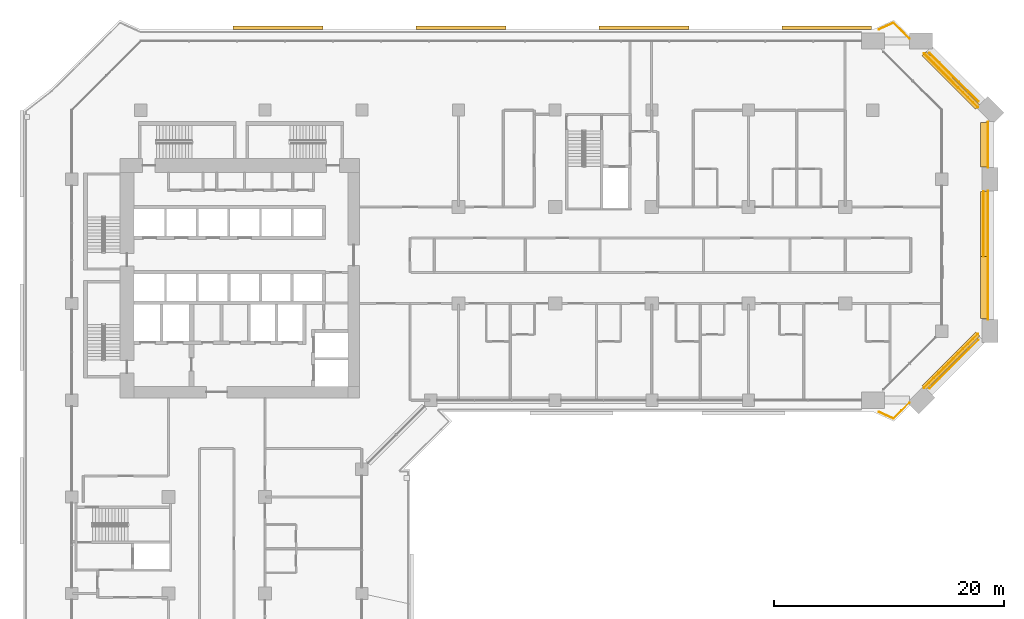
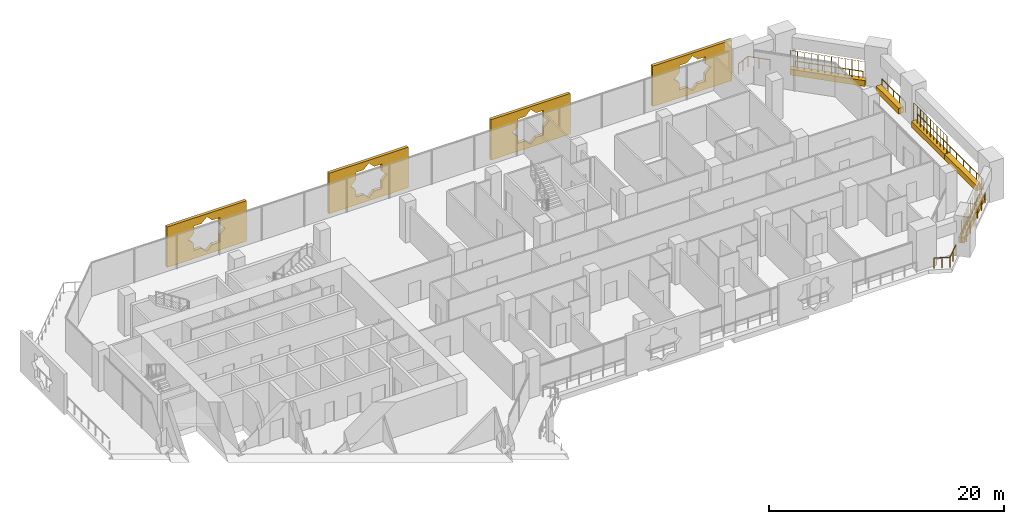
# One storey, part 25 of 25: 9 coverings, 9 railings.
"""IFC4 building model written with IfcOpenShell, lengths in metres."""

from ifc_helpers import new_model, si_unit, direction, frame, origin, origin_2d, place, context, subcontext, project, spatial, polyline, rectangle, circle, outline, extrude, material, material_profile, profile_set, type_object, element, save


model = new_model("IFC4")

# Units and contexts
model_context = context("Model", 3, precision=1e-05, world=origin(), true_north=direction((0.0, 1.0)))
body_context = subcontext(model_context, "Body", "Model", "MODEL_VIEW")
ifc_project = project(units=[si_unit("LENGTHUNIT", "METRE"), si_unit("AREAUNIT", "SQUARE_METRE"), si_unit("VOLUMEUNIT", "CUBIC_METRE"), si_unit("PLANEANGLEUNIT", "RADIAN"), si_unit("MASSUNIT", "GRAM", prefix="KILO")], contexts=[model_context])

# Site, building, storey
site_placement = place(None, origin())
site = spatial("IfcSite", under=ifc_project, at=site_placement, CompositionType="ELEMENT")
building_placement = place(site_placement, origin())
building = spatial("IfcBuilding", under=site, at=building_placement, Name="Kawkab Arch Medical Tower", CompositionType="ELEMENT")
storey_placement = place(building_placement, frame((0.0, 0.0, 111.39990234375)))
storey = spatial("IfcBuildingStorey", under=building, at=storey_placement, Name="L25", CompositionType="ELEMENT", Elevation=111.39990234375)

# Railings
ifc_material_1 = material(Name="Bronze anodised aluminium guard", Category="aluminium")
railing_type_1 = type_object("IfcRailingType", Name="Loggia and terrace guard 1100", PredefinedType="GUARDRAIL", material=ifc_material_1)
railing_1_placement = place(storey_placement, frame((74.547119140625, -24.169921875, 0.0)))
element("IfcRailing", 1, at=railing_1_placement, inside=storey, type_object=railing_type_1, Name="Guard L25.TER-01.1.1", PredefinedType="GUARDRAIL", context=body_context, shape_type="SweptSolid", body=[
    extrude(circle(Radius=0.02392578125, at=origin_2d()), frame((0.0, 0.0, 1.076171875), z_axis=(0.707106781187, 0.707106781187, 0.0), x_axis=(-0.707106781187, 0.707106781187, 0.0)), (0.0, 0.0, 1.0), 5.97216796875),
    extrude(circle(Radius=0.02099609375, at=origin_2d()), origin(), (0.0, 0.0, 1.0), 1.052001953125),
    extrude(circle(Radius=0.02099609375, at=origin_2d()), frame((0.844482421875, 0.844482421875, 0.0)), (0.0, 0.0, 1.0), 1.052001953125),
    extrude(circle(Radius=0.02099609375, at=origin_2d()), frame((1.689208984375, 1.689208984375, 0.0)), (0.0, 0.0, 1.0), 1.052001953125),
    extrude(circle(Radius=0.02099609375, at=origin_2d()), frame((2.53369140625, 2.53369140625, 0.0)), (0.0, 0.0, 1.0), 1.052001953125),
    extrude(circle(Radius=0.02099609375, at=origin_2d()), frame((3.37841796875, 3.37841796875, 0.0)), (0.0, 0.0, 1.0), 1.052001953125),
    extrude(circle(Radius=0.02099609375, at=origin_2d()), frame((4.222900390625, 4.222900390625, 0.0)), (0.0, 0.0, 1.0), 1.052001953125),
])
railing_2_placement = place(storey_placement, frame((79.60009765625, -18.169921875, 0.0)))
element("IfcRailing", 2, at=railing_2_placement, inside=storey, type_object=railing_type_1, Name="Guard L25.TER-01.1.2", PredefinedType="GUARDRAIL", context=body_context, shape_type="SweptSolid", body=[
    extrude(circle(Radius=0.02392578125, at=origin_2d()), frame((0.0, 0.0, 1.076171875), z_axis=(0.0, 1.0, 0.0), x_axis=(-1.0, 0.0, 0.0)), (0.0, 0.0, 1.0), 11.139892578125),
    extrude(circle(Radius=0.02099609375, at=origin_2d()), origin(), (0.0, 0.0, 1.0), 1.052001953125),
    extrude(circle(Radius=0.02099609375, at=origin_2d()), frame((0.0, 1.114013671875, 0.0)), (0.0, 0.0, 1.0), 1.052001953125),
    extrude(circle(Radius=0.02099609375, at=origin_2d()), frame((0.0, 2.22802734375, 0.0)), (0.0, 0.0, 1.0), 1.052001953125),
    extrude(circle(Radius=0.02099609375, at=origin_2d()), frame((0.0, 3.342041015625, 0.0)), (0.0, 0.0, 1.0), 1.052001953125),
    extrude(circle(Radius=0.02099609375, at=origin_2d()), frame((0.0, 4.4560546875, 0.0)), (0.0, 0.0, 1.0), 1.052001953125),
    extrude(circle(Radius=0.02099609375, at=origin_2d()), frame((0.0, 5.56982421875, 0.0)), (0.0, 0.0, 1.0), 1.052001953125),
    extrude(circle(Radius=0.02099609375, at=origin_2d()), frame((0.0, 6.683837890625, 0.0)), (0.0, 0.0, 1.0), 1.052001953125),
    extrude(circle(Radius=0.02099609375, at=origin_2d()), frame((0.0, 7.7978515625, 0.0)), (0.0, 0.0, 1.0), 1.052001953125),
    extrude(circle(Radius=0.02099609375, at=origin_2d()), frame((0.0, 8.911865234375, 0.0)), (0.0, 0.0, 1.0), 1.052001953125),
    extrude(circle(Radius=0.02099609375, at=origin_2d()), frame((0.0, 10.02587890625, 0.0)), (0.0, 0.0, 1.0), 1.052001953125),
    extrude(circle(Radius=0.02099609375, at=origin_2d()), frame((0.0, 11.139892578125, 0.0)), (0.0, 0.0, 1.0), 1.052001953125),
])
railing_3_placement = place(storey_placement, frame((79.60009765625, -4.969970703125, 0.0)))
element("IfcRailing", 3, at=railing_3_placement, inside=storey, type_object=railing_type_1, Name="Guard L25.TER-01.1.3", PredefinedType="GUARDRAIL", context=body_context, shape_type="SweptSolid", body=[
    extrude(circle(Radius=0.02392578125, at=origin_2d()), frame((0.0, 0.0, 1.076171875), z_axis=(0.0, 1.0, 0.0), x_axis=(-1.0, 0.0, 0.0)), (0.0, 0.0, 1.0), 3.93994140625),
    extrude(circle(Radius=0.02099609375, at=origin_2d()), origin(), (0.0, 0.0, 1.0), 1.052001953125),
    extrude(circle(Radius=0.02099609375, at=origin_2d()), frame((0.0, 0.98486328125, 0.0)), (0.0, 0.0, 1.0), 1.052001953125),
    extrude(circle(Radius=0.02099609375, at=origin_2d()), frame((0.0, 1.969970703125, 0.0)), (0.0, 0.0, 1.0), 1.052001953125),
    extrude(circle(Radius=0.02099609375, at=origin_2d()), frame((0.0, 2.955078125, 0.0)), (0.0, 0.0, 1.0), 1.052001953125),
    extrude(circle(Radius=0.02099609375, at=origin_2d()), frame((0.0, 3.93994140625, 0.0)), (0.0, 0.0, 1.0), 1.052001953125),
])
railing_4_placement = place(storey_placement, frame((78.77001953125, 0.7470703125, 0.0)))
element("IfcRailing", 4, at=railing_4_placement, inside=storey, type_object=railing_type_1, Name="Guard L25.TER-01.1.4", PredefinedType="GUARDRAIL", context=body_context, shape_type="SweptSolid", body=[
    extrude(circle(Radius=0.02392578125, at=origin_2d()), frame((0.0, 0.0, 1.076171875), z_axis=(-0.707106781187, 0.707106781187, 0.0), x_axis=(-0.707106781187, -0.707106781187, 0.0)), (0.0, 0.0, 1.0), 5.97216796875),
    extrude(circle(Radius=0.02099609375, at=origin_2d()), origin(), (0.0, 0.0, 1.0), 1.052001953125),
    extrude(circle(Radius=0.02099609375, at=origin_2d()), frame((-0.844482421875, 0.844482421875, 0.0)), (0.0, 0.0, 1.0), 1.052001953125),
    extrude(circle(Radius=0.02099609375, at=origin_2d()), frame((-1.689208984375, 1.689208984375, 0.0)), (0.0, 0.0, 1.0), 1.052001953125),
    extrude(circle(Radius=0.02099609375, at=origin_2d()), frame((-2.53369140625, 2.53369140625, 0.0)), (0.0, 0.0, 1.0), 1.052001953125),
    extrude(circle(Radius=0.02099609375, at=origin_2d()), frame((-3.37841796875, 3.37841796875, 0.0)), (0.0, 0.0, 1.0), 1.052001953125),
    extrude(circle(Radius=0.02099609375, at=origin_2d()), frame((-4.222900390625, 4.222900390625, 0.0)), (0.0, 0.0, 1.0), 1.052001953125),
])
railing_5_placement = place(storey_placement, frame((72.77001953125, -25.424072265625, 0.0)))
element("IfcRailing", 5, at=railing_5_placement, inside=storey, type_object=railing_type_1, Name="Guard L25.LOG-01.1.1", PredefinedType="GUARDRAIL", context=body_context, shape_type="SweptSolid", body=[
    extrude(circle(Radius=0.02392578125, at=origin_2d()), frame((0.0, 0.0, 1.076171875), z_axis=(-0.707357929016, -0.706855544123, 0.0), x_axis=(0.706855544123, -0.707357929016, 0.0)), (0.0, 0.0, 1.0), 1.94384765625),
    extrude(circle(Radius=0.02392578125, at=origin_2d()), frame((-1.375, -1.3740234375, 1.076171875), z_axis=(-0.910018386629, 0.414567890698, 0.0), x_axis=(-0.414567890698, -0.910018386629, 0.0)), (0.0, 0.0, 1.0), 1.370361328125),
    extrude(circle(Radius=0.02099609375, at=origin_2d()), origin(), (0.0, 0.0, 1.0), 1.052001953125),
    extrude(circle(Radius=0.02099609375, at=origin_2d()), frame((-0.6875, -0.68701171875, 0.0)), (0.0, 0.0, 1.0), 1.052001953125),
    extrude(circle(Radius=0.02099609375, at=origin_2d()), frame((-1.375, -1.3740234375, 0.0)), (0.0, 0.0, 1.0), 1.052001953125),
    extrude(circle(Radius=0.02099609375, at=origin_2d()), frame((-1.99853515625, -1.08984375, 0.0)), (0.0, 0.0, 1.0), 1.052001953125),
    extrude(circle(Radius=0.02099609375, at=origin_2d()), frame((-2.6220703125, -0.805908203125, 0.0)), (0.0, 0.0, 1.0), 1.052001953125),
])
railing_6_placement = place(storey_placement, frame((70.14794921875, 7.030029296875, 0.0)))
element("IfcRailing", 6, at=railing_6_placement, inside=storey, type_object=railing_type_1, Name="Guard L25.LOG-01.1.3", PredefinedType="GUARDRAIL", context=body_context, shape_type="SweptSolid", body=[
    extrude(circle(Radius=0.02392578125, at=origin_2d()), frame((0.0, 0.0, 1.076171875), z_axis=(0.910085591366, 0.414420337807, 0.0), x_axis=(-0.414420337807, 0.910085591366, 0.0)), (0.0, 0.0, 1.0), 1.370361328125),
    extrude(circle(Radius=0.02392578125, at=origin_2d()), frame((1.2470703125, 0.56787109375, 1.076171875), z_axis=(0.707420729895, -0.706792693026, 0.0), x_axis=(0.706792693026, 0.707420729895, 0.0)), (0.0, 0.0, 1.0), 1.943603515625),
    extrude(circle(Radius=0.02099609375, at=origin_2d()), origin(), (0.0, 0.0, 1.0), 1.052001953125),
    extrude(circle(Radius=0.02099609375, at=origin_2d()), frame((0.62353515625, 0.283935546875, 0.0)), (0.0, 0.0, 1.0), 1.052001953125),
    extrude(circle(Radius=0.02099609375, at=origin_2d()), frame((1.2470703125, 0.56787109375, 0.0)), (0.0, 0.0, 1.0), 1.052001953125),
    extrude(circle(Radius=0.02099609375, at=origin_2d()), frame((1.9345703125, -0.119140625, 0.0)), (0.0, 0.0, 1.0), 1.052001953125),
    extrude(circle(Radius=0.02099609375, at=origin_2d()), frame((2.6220703125, -0.805908203125, 0.0)), (0.0, 0.0, 1.0), 1.052001953125),
])

# Coverings
ifc_material_2 = material(Name="Bronze anodised aluminium mashrabiya panel, eight-point star pattern", Category="aluminium")
ifc_material_profile_1 = material_profile(ifc_material_2, outline(polyline([(-3.89990234375, -2.10009765625), (3.89990234375, -2.10009765625), (3.89990234375, 2.10009765625), (-3.89990234375, 2.10009765625), (-3.89990234375, -2.10009765625)]), holes=[polyline([(1.800048828125, 0.0), (1.272705078125, 0.527099609375), (1.272705078125, 1.272705078125), (0.527099609375, 1.272705078125), (0.0, 1.800048828125), (-0.527099609375, 1.272705078125), (-1.272705078125, 1.272705078125), (-1.272705078125, 0.527099609375), (-1.800048828125, 0.0), (-1.272705078125, -0.527099609375), (-1.272705078125, -1.272705078125), (-0.527099609375, -1.272705078125), (0.0, -1.800048828125), (0.527099609375, -1.272705078125), (1.272705078125, -1.272705078125), (1.272705078125, -0.527099609375), (1.800048828125, 0.0)])]), Name="Mashrabiya panel 7800x4200")
ifc_profile_set_1 = profile_set([ifc_material_profile_1], Name="Bronze anodised aluminium mashrabiya panel, eight-point star pattern")
covering_type_1 = type_object("IfcCoveringType", Name="Mashrabiya panel 7800 x 4200", PredefinedType="USERDEFINED", material=ifc_profile_set_1)
for number, where, z_axis, x_axis, name in (
    (7, (17.923583984375, 7.0, 1.7001953125), (0.0, 1.0, 0.0), (-1.0, 0.0, 0.0), "Mashrabiya panel L25.LOG-01-01.9"),
    (8, (33.82470703125, 7.0, 1.7001953125), (0.0, 1.0, 0.0), (-1.0, 0.0, 0.0), "Mashrabiya panel L25.LOG-01-01.10"),
    (9, (49.725830078125, 7.0, 1.7001953125), (0.0, 1.0, 0.0), (-1.0, 0.0, 0.0), "Mashrabiya panel L25.LOG-01-01.11"),
    (10, (65.60693359375, 7.0, 1.7001953125), (0.0, 1.0, 0.0), (-1.0, 0.0, 0.0), "Mashrabiya panel L25.LOG-01-01.12"),
):
    element("IfcCovering", number, at=place(storey_placement, frame(where, z_axis=z_axis, x_axis=x_axis)), inside=storey, type_object=covering_type_1, Name=name, ObjectType="SCREEN", PredefinedType="USERDEFINED", context=body_context, shape_type="SweptSolid", body=[
        extrude(outline(polyline([(-3.89990234375, -2.10009765625), (3.89990234375, -2.10009765625), (3.89990234375, 2.10009765625), (-3.89990234375, 2.10009765625), (-3.89990234375, -2.10009765625)]), holes=[polyline([(1.800048828125, 0.0), (1.272705078125, 0.527099609375), (1.272705078125, 1.272705078125), (0.527099609375, 1.272705078125), (0.0, 1.800048828125), (-0.527099609375, 1.272705078125), (-1.272705078125, 1.272705078125), (-1.272705078125, 0.527099609375), (-1.800048828125, 0.0), (-1.272705078125, -0.527099609375), (-1.272705078125, -1.272705078125), (-0.527099609375, -1.272705078125), (0.0, -1.800048828125), (0.527099609375, -1.272705078125), (1.272705078125, -1.272705078125), (1.272705078125, -0.527099609375), (1.800048828125, 0.0)])]), origin(), (0.0, 0.0, 1.0), 0.300048828125),
    ])
ifc_material_3 = material(Name="Planting soil in a precast trough", Category="concrete")
ifc_material_profile_2 = material_profile(ifc_material_3, rectangle(XDim=0.5, YDim=0.60009765625, at=origin_2d()), Name="Trough 500x600")
ifc_profile_set_2 = profile_set([ifc_material_profile_2], Name="Planting soil in a precast trough")
covering_type_2 = type_object("IfcCoveringType", Name="Planter trough 500 x 600", PredefinedType="USERDEFINED", material=ifc_profile_set_2)
covering_1_placement = place(storey_placement, frame((74.055908203125, -24.1201171875, 0.300048828125), z_axis=(0.707328897326, 0.706884595254, 0.0), x_axis=(-0.706884595254, 0.707328897326, 0.0)))
element("IfcCovering", 11, at=covering_1_placement, inside=storey, type_object=covering_type_2, Name="Planter L25.TER-01-01.1", ObjectType="PLANTER", PredefinedType="USERDEFINED", context=body_context, shape_type="SweptSolid", body=[
    extrude(rectangle(XDim=0.5, YDim=0.60009765625, at=origin_2d()), origin(), (0.0, 0.0, 1.0), 6.593994140625),
])
covering_2_placement = place(storey_placement, frame((79.219970703125, -18.1201171875, 0.300048828125), z_axis=(0.0, 1.0, 0.0), x_axis=(-1.0, 0.0, 0.0)))
element("IfcCovering", 12, at=covering_2_placement, inside=storey, type_object=covering_type_2, Name="Planter L25.TER-01-01.2", ObjectType="PLANTER", PredefinedType="USERDEFINED", context=body_context, shape_type="SweptSolid", body=[
    extrude(rectangle(XDim=0.5, YDim=0.60009765625, at=origin_2d()), origin(), (0.0, 0.0, 1.0), 5.399169921875),
])
covering_3_placement = place(storey_placement, frame((79.219970703125, -12.720947265625, 0.300048828125), z_axis=(0.0, 1.0, 0.0), x_axis=(-1.0, 0.0, 0.0)))
element("IfcCovering", 13, at=covering_3_placement, inside=storey, type_object=covering_type_2, Name="Planter L25.TER-01-01.3", ObjectType="PLANTER", PredefinedType="USERDEFINED", context=body_context, shape_type="SweptSolid", body=[
    extrude(rectangle(XDim=0.5, YDim=0.60009765625, at=origin_2d()), origin(), (0.0, 0.0, 1.0), 5.640869140625),
])
covering_4_placement = place(storey_placement, frame((79.219970703125, -4.919921875, 0.300048828125), z_axis=(0.0, 1.0, 0.0), x_axis=(-1.0, 0.0, 0.0)))
element("IfcCovering", 14, at=covering_4_placement, inside=storey, type_object=covering_type_2, Name="Planter L25.TER-01-01.4", ObjectType="PLANTER", PredefinedType="USERDEFINED", context=body_context, shape_type="SweptSolid", body=[
    extrude(rectangle(XDim=0.5, YDim=0.60009765625, at=origin_2d()), origin(), (0.0, 0.0, 1.0), 3.83984375),
])
covering_5_placement = place(storey_placement, frame((78.719970703125, 0.256103515625, 0.300048828125), z_axis=(-0.706884583618, 0.707328908955, 0.0), x_axis=(-0.707328908955, -0.706884583618, 0.0)))
element("IfcCovering", 15, at=covering_5_placement, inside=storey, type_object=covering_type_2, Name="Planter L25.TER-01-01.5", ObjectType="PLANTER", PredefinedType="USERDEFINED", context=body_context, shape_type="SweptSolid", body=[
    extrude(rectangle(XDim=0.5, YDim=0.60009765625, at=origin_2d()), origin(), (0.0, 0.0, 1.0), 6.593505859375),
])

# Railings
ifc_material_4 = material(Name="Bronze anodised aluminium trellis for climbing plants", Category="aluminium")
railing_type_2 = type_object("IfcRailingType", Name="Planting trellis 2400", PredefinedType="USERDEFINED", material=ifc_material_4)
railing_7_placement = place(storey_placement, frame((74.055908203125, -24.1201171875, 0.0)))
element("IfcRailing", 16, at=railing_7_placement, inside=storey, type_object=railing_type_2, Name="Planting trellis L25.TER-01-01.1", ObjectType="TRELLIS", PredefinedType="USERDEFINED", context=body_context, shape_type="SweptSolid", body=[
    extrude(circle(Radius=0.01513671875, at=origin_2d()), frame((0.0, 0.0, 2.384765625), z_axis=(0.707328897326, 0.706884595254, 0.0), x_axis=(-0.706884595254, 0.707328897326, 0.0)), (0.0, 0.0, 1.0), 6.593994140625),
    extrude(circle(Radius=0.030029296875, at=origin_2d()), origin(), (0.0, 0.0, 1.0), 2.369873046875),
    extrude(circle(Radius=0.030029296875, at=origin_2d()), frame((0.424072265625, 0.423828125, 0.0)), (0.0, 0.0, 1.0), 2.369873046875),
    extrude(circle(Radius=0.030029296875, at=origin_2d()), frame((0.847900390625, 0.847412109375, 0.0)), (0.0, 0.0, 1.0), 2.369873046875),
    extrude(circle(Radius=0.030029296875, at=origin_2d()), frame((1.27197265625, 1.271240234375, 0.0)), (0.0, 0.0, 1.0), 2.369873046875),
    extrude(circle(Radius=0.030029296875, at=origin_2d()), frame((1.696044921875, 1.695068359375, 0.0)), (0.0, 0.0, 1.0), 2.369873046875),
    extrude(circle(Radius=0.030029296875, at=origin_2d()), frame((2.1201171875, 2.11865234375, 0.0)), (0.0, 0.0, 1.0), 2.369873046875),
    extrude(circle(Radius=0.030029296875, at=origin_2d()), frame((2.5439453125, 2.54248046875, 0.0)), (0.0, 0.0, 1.0), 2.369873046875),
    extrude(circle(Radius=0.030029296875, at=origin_2d()), frame((2.968017578125, 2.966064453125, 0.0)), (0.0, 0.0, 1.0), 2.369873046875),
    extrude(circle(Radius=0.030029296875, at=origin_2d()), frame((3.39208984375, 3.389892578125, 0.0)), (0.0, 0.0, 1.0), 2.369873046875),
    extrude(circle(Radius=0.030029296875, at=origin_2d()), frame((3.816162109375, 3.813720703125, 0.0)), (0.0, 0.0, 1.0), 2.369873046875),
    extrude(circle(Radius=0.030029296875, at=origin_2d()), frame((4.239990234375, 4.2373046875, 0.0)), (0.0, 0.0, 1.0), 2.369873046875),
    extrude(circle(Radius=0.030029296875, at=origin_2d()), frame((4.6640625, 4.6611328125, 0.0)), (0.0, 0.0, 1.0), 2.369873046875),
])
railing_8_placement = place(storey_placement, frame((79.219970703125, -12.720947265625, 0.0)))
element("IfcRailing", 17, at=railing_8_placement, inside=storey, type_object=railing_type_2, Name="Planting trellis L25.TER-01-01.3", ObjectType="TRELLIS", PredefinedType="USERDEFINED", context=body_context, shape_type="SweptSolid", body=[
    extrude(circle(Radius=0.01513671875, at=origin_2d()), frame((0.0, 0.0, 2.384765625), z_axis=(0.0, 1.0, 0.0), x_axis=(-1.0, 0.0, 0.0)), (0.0, 0.0, 1.0), 5.640869140625),
    extrude(circle(Radius=0.030029296875, at=origin_2d()), origin(), (0.0, 0.0, 1.0), 2.369873046875),
    extrude(circle(Radius=0.030029296875, at=origin_2d()), frame((0.0, 0.56396484375, 0.0)), (0.0, 0.0, 1.0), 2.369873046875),
    extrude(circle(Radius=0.030029296875, at=origin_2d()), frame((0.0, 1.128173828125, 0.0)), (0.0, 0.0, 1.0), 2.369873046875),
    extrude(circle(Radius=0.030029296875, at=origin_2d()), frame((0.0, 1.6923828125, 0.0)), (0.0, 0.0, 1.0), 2.369873046875),
    extrude(circle(Radius=0.030029296875, at=origin_2d()), frame((0.0, 2.25634765625, 0.0)), (0.0, 0.0, 1.0), 2.369873046875),
    extrude(circle(Radius=0.030029296875, at=origin_2d()), frame((0.0, 2.8203125, 0.0)), (0.0, 0.0, 1.0), 2.369873046875),
    extrude(circle(Radius=0.030029296875, at=origin_2d()), frame((0.0, 3.384521484375, 0.0)), (0.0, 0.0, 1.0), 2.369873046875),
    extrude(circle(Radius=0.030029296875, at=origin_2d()), frame((0.0, 3.948486328125, 0.0)), (0.0, 0.0, 1.0), 2.369873046875),
    extrude(circle(Radius=0.030029296875, at=origin_2d()), frame((0.0, 4.5126953125, 0.0)), (0.0, 0.0, 1.0), 2.369873046875),
    extrude(circle(Radius=0.030029296875, at=origin_2d()), frame((0.0, 5.07666015625, 0.0)), (0.0, 0.0, 1.0), 2.369873046875),
    extrude(circle(Radius=0.030029296875, at=origin_2d()), frame((0.0, 5.640869140625, 0.0)), (0.0, 0.0, 1.0), 2.369873046875),
])
railing_9_placement = place(storey_placement, frame((78.719970703125, 0.256103515625, 0.0)))
element("IfcRailing", 18, at=railing_9_placement, inside=storey, type_object=railing_type_2, Name="Planting trellis L25.TER-01-01.5", ObjectType="TRELLIS", PredefinedType="USERDEFINED", context=body_context, shape_type="SweptSolid", body=[
    extrude(circle(Radius=0.01513671875, at=origin_2d()), frame((0.0, 0.0, 2.384765625), z_axis=(-0.706884583618, 0.707328908955, 0.0), x_axis=(-0.707328908955, -0.706884583618, 0.0)), (0.0, 0.0, 1.0), 6.593505859375),
    extrude(circle(Radius=0.030029296875, at=origin_2d()), origin(), (0.0, 0.0, 1.0), 2.369873046875),
    extrude(circle(Radius=0.030029296875, at=origin_2d()), frame((-0.423828125, 0.424072265625, 0.0)), (0.0, 0.0, 1.0), 2.369873046875),
    extrude(circle(Radius=0.030029296875, at=origin_2d()), frame((-0.847412109375, 0.847900390625, 0.0)), (0.0, 0.0, 1.0), 2.369873046875),
    extrude(circle(Radius=0.030029296875, at=origin_2d()), frame((-1.271240234375, 1.27197265625, 0.0)), (0.0, 0.0, 1.0), 2.369873046875),
    extrude(circle(Radius=0.030029296875, at=origin_2d()), frame((-1.69482421875, 1.696044921875, 0.0)), (0.0, 0.0, 1.0), 2.369873046875),
    extrude(circle(Radius=0.030029296875, at=origin_2d()), frame((-2.11865234375, 2.119873046875, 0.0)), (0.0, 0.0, 1.0), 2.369873046875),
    extrude(circle(Radius=0.030029296875, at=origin_2d()), frame((-2.542236328125, 2.5439453125, 0.0)), (0.0, 0.0, 1.0), 2.369873046875),
    extrude(circle(Radius=0.030029296875, at=origin_2d()), frame((-2.966064453125, 2.9677734375, 0.0)), (0.0, 0.0, 1.0), 2.369873046875),
    extrude(circle(Radius=0.030029296875, at=origin_2d()), frame((-3.3896484375, 3.391845703125, 0.0)), (0.0, 0.0, 1.0), 2.369873046875),
    extrude(circle(Radius=0.030029296875, at=origin_2d()), frame((-3.8134765625, 3.81591796875, 0.0)), (0.0, 0.0, 1.0), 2.369873046875),
    extrude(circle(Radius=0.030029296875, at=origin_2d()), frame((-4.237060546875, 4.23974609375, 0.0)), (0.0, 0.0, 1.0), 2.369873046875),
    extrude(circle(Radius=0.030029296875, at=origin_2d()), frame((-4.660888671875, 4.663818359375, 0.0)), (0.0, 0.0, 1.0), 2.369873046875),
])

save(model, "model.ifc")
